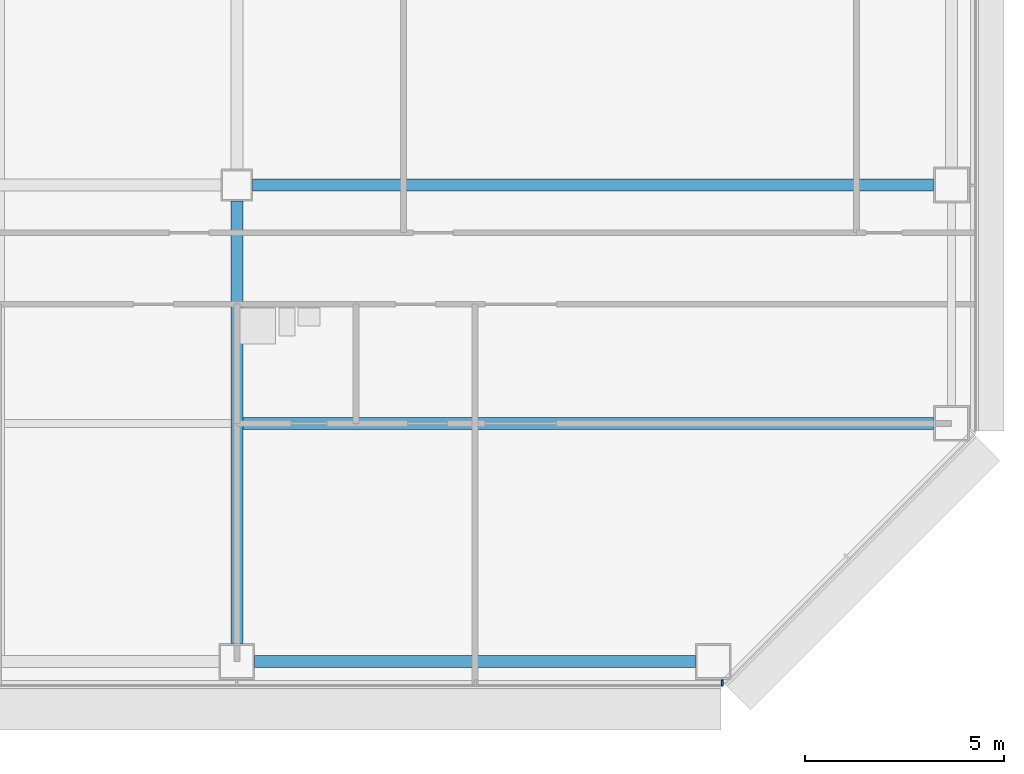
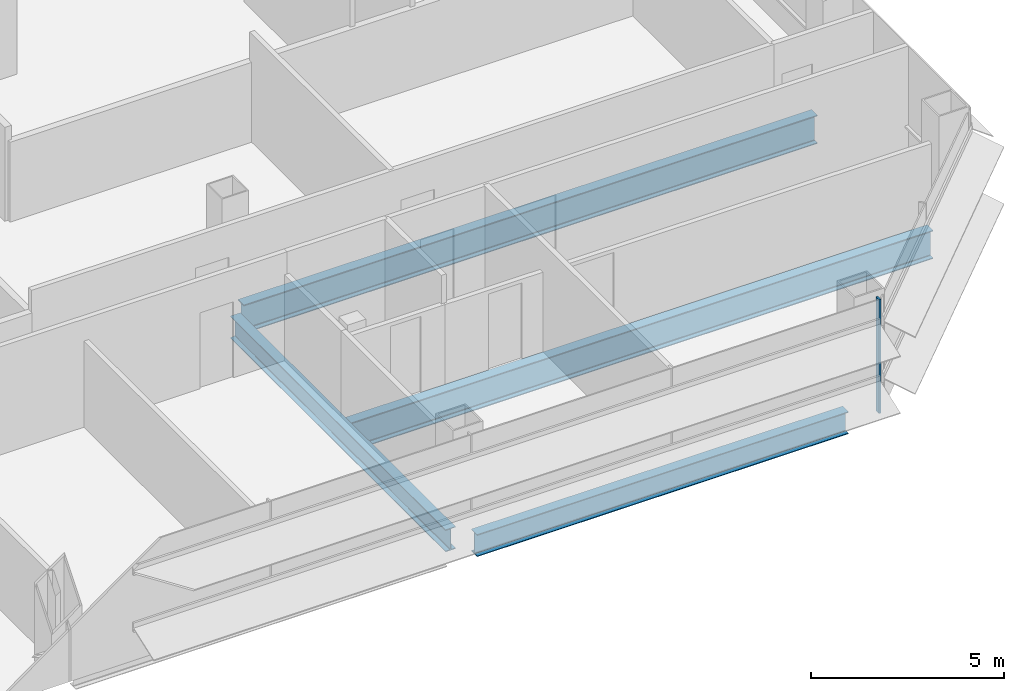
# One storey, part 9 of 27: 4 beams, 1 member, 1 element without a shape of its own.
"""IFC4 building model written with IfcOpenShell, lengths in metres."""

import ifcopenshell
import ifcopenshell.guid

model = None  # the IFC model being written
_history = None  # IfcOwnerHistory: only IFC2X3 demands one
_inside = {}  # id of a spatial element -> (the spatial element, [elements in it])
_under = {}  # id of a project, library or spatial element -> (it, [spatial elements below it])
_declared = {}  # id of a project -> (the project, [libraries it declares])
_typed = {}  # id of a type object -> (the type object, [elements of that type])
_made_of = {}  # id of a material, layer set ... -> (it, [elements and type objects made of it])


def new_model(schema):
    """Start an empty IFC model of exactly this schema.

    Asked for "IFC4X3", IfcOpenShell would pick the latest addendum, in which some entities
    have other attributes; the version numbers below select the first issue.
    IFC2X3 requires an IfcOwnerHistory on every rooted entity: one is made here for all.
    """
    global model, _history
    if schema == "IFC4X3":
        model = ifcopenshell.file(schema_version=(4, 3, 0, 0))
    else:
        model = ifcopenshell.file(schema=schema)
    _inside.clear()
    _under.clear()
    _declared.clear()
    _typed.clear()
    _made_of.clear()
    _history = None
    if model.schema == "IFC2X3":
        org = make("IfcOrganization", Name="unknown")
        user = make(
            "IfcPersonAndOrganization",
            ThePerson=make("IfcPerson", FamilyName="unknown"),
            TheOrganization=org,
        )
        app = make(
            "IfcApplication",
            ApplicationDeveloper=org,
            Version="unknown",
            ApplicationFullName="unknown",
            ApplicationIdentifier="unknown",
        )
        _history = make(
            "IfcOwnerHistory",
            OwningUser=user,
            OwningApplication=app,
            ChangeAction="ADDED",
            CreationDate=0,
        )
    return model


def make(cls, **values):
    """One entity of the class cls with the attributes given. An attribute that is None is left unset."""
    return model.create_entity(
        cls, **{name: value for name, value in values.items() if value is not None}
    )


def rooted(cls, **values):
    """An entity with a GlobalId (a new one), such as an element, a storey or a relation."""
    return make(cls, GlobalId=ifcopenshell.guid.new(), OwnerHistory=_history, **values)


def si_unit(unit_type, name, prefix=None):
    """IfcSIUnit, for example si_unit("LENGTHUNIT", "METRE", prefix="MILLI")."""
    return make("IfcSIUnit", UnitType=unit_type, Prefix=prefix, Name=name)


def assignment(units):
    """IfcUnitAssignment: the units of a project."""
    return None if units is None else make("IfcUnitAssignment", Units=units)


def point(xyz):
    """IfcCartesianPoint."""
    return None if xyz is None else make("IfcCartesianPoint", Coordinates=xyz)


def direction(xyz):
    """IfcDirection."""
    return None if xyz is None else make("IfcDirection", DirectionRatios=xyz)


def frame(location, z_axis=None, x_axis=None):
    """IfcAxis2Placement3D, a coordinate frame: its origin and axes. An axis left out is left unset."""
    return make(
        "IfcAxis2Placement3D",
        Location=point(location),
        Axis=direction(z_axis),
        RefDirection=direction(x_axis),
    )


def frame_2d(location, x_axis=None):
    """IfcAxis2Placement2D, a coordinate frame in the plane: its origin and x axis."""
    return make(
        "IfcAxis2Placement2D", Location=point(location), RefDirection=direction(x_axis)
    )


def origin():
    """The frame at (0, 0, 0) with its axes left unset."""
    return frame((0.0, 0.0, 0.0))


def origin_2d():
    """The frame at (0, 0) in the plane with its x axis left unset."""
    return frame_2d((0.0, 0.0))


def place(relative_to, where):
    """IfcLocalPlacement: puts the frame where relative to a parent placement (None: the world)."""
    return make(
        "IfcLocalPlacement", PlacementRelTo=relative_to, RelativePlacement=where
    )


def context(
    kind, dimensions, precision=None, world=None, true_north=None, identifier=None
):
    """IfcGeometricRepresentationContext, for example the 3D "Model" context."""
    return make(
        "IfcGeometricRepresentationContext",
        ContextIdentifier=identifier,
        ContextType=kind,
        CoordinateSpaceDimension=dimensions,
        Precision=precision,
        WorldCoordinateSystem=world,
        TrueNorth=true_north,
    )


def subcontext(parent, identifier, kind, view, scale=None):
    """IfcGeometricRepresentationSubContext, for example "Body" below "Model"."""
    return make(
        "IfcGeometricRepresentationSubContext",
        ContextIdentifier=identifier,
        ContextType=kind,
        ParentContext=parent,
        TargetScale=scale,
        TargetView=view,
    )


def project(units=None, contexts=None):
    """IfcProject with its units and contexts."""
    return rooted(
        "IfcProject",
        Name="project",
        RepresentationContexts=contexts,
        UnitsInContext=assignment(units),
    )


def spatial(cls, under=None, at=None, **own):
    """A site, building, storey or space (cls), placed at a placement, below another one or the project."""
    s = rooted(cls, ObjectPlacement=at, **own)
    if under is not None:
        _under.setdefault(under.id(), (under, []))[1].append(s)
    return s


def profile(cls, at=None, kind="AREA", **sizes):
    """A parametric profile (cls). Its sizes go by their IFC names, for example OverallWidth=200.0."""
    return make(cls, ProfileType=kind, Position=at, **sizes)


def rectangle(**sizes):
    """IfcRectangleProfileDef."""
    return profile("IfcRectangleProfileDef", **sizes)


def i_section(**sizes):
    """IfcIShapeProfileDef."""
    return profile("IfcIShapeProfileDef", **sizes)


def extrude(swept, where, along, depth):
    """IfcExtrudedAreaSolid: the profile swept, set in the frame where, extruded along a direction by depth."""
    return make(
        "IfcExtrudedAreaSolid",
        SweptArea=swept,
        Position=where,
        ExtrudedDirection=direction(along),
        Depth=depth,
    )


def shape(context_of_items, identifier, shape_type, items):
    """IfcShapeRepresentation: the items that make up one representation, for example the "Body"."""
    return make(
        "IfcShapeRepresentation",
        ContextOfItems=context_of_items,
        RepresentationIdentifier=identifier,
        RepresentationType=shape_type,
        Items=items,
    )


def material(Name=None, Category=None):
    """IfcMaterial."""
    return make("IfcMaterial", Name=Name, Category=Category)


def material_profile(
    of_material, cross_section, Name=None, Category=None, Priority=None
):
    """IfcMaterialProfile: a cross section and its material."""
    return make(
        "IfcMaterialProfile",
        Name=Name,
        Material=of_material,
        Profile=cross_section,
        Priority=Priority,
        Category=Category,
    )


def profile_set(profiles, Name=None, composite=None):
    """IfcMaterialProfileSet."""
    return make(
        "IfcMaterialProfileSet",
        Name=Name,
        MaterialProfiles=profiles,
        CompositeProfile=composite,
    )


def made_of(thing, what):
    """Note that an element or type object is made of a material, layer set ...; save() writes the relation."""
    if what is not None:
        _made_of.setdefault(what.id(), (what, []))[1].append(thing)
    return thing


def type_object(cls, material=None, **own):
    """A type object (cls), such as IfcWallType, which elements share."""
    return made_of(rooted(cls, **own), material)


def element(
    cls,
    number,
    at=None,
    inside=None,
    cuts=None,
    type_object=None,
    material=None,
    context=None,
    identifier="Body",
    shape_type=None,
    held_by="IfcProductDefinitionShape",
    body=None,
    shapes=None,
    **own,
):
    """One element of the class cls, such as IfcWall. Its Tag is "e" and its number.

    at: its placement. inside: the storey or other place that contains it. cuts: it is an
    opening in that element (IfcRelVoidsElement). A single representation is given by context,
    identifier, shape_type and body (its items); several are given by shapes. held_by: the class
    of the entity that holds the representations. save() writes the other relations.
    """
    e = rooted(cls, Tag="e%d" % number, ObjectPlacement=at, **own)
    if body is not None:
        shapes = [shape(context, identifier, shape_type, body)]
    if shapes is not None:
        e.Representation = make(held_by, Representations=shapes)
    if inside is not None:
        _inside.setdefault(inside.id(), (inside, []))[1].append(e)
    if cuts is not None:
        rooted(
            "IfcRelVoidsElement", RelatingBuildingElement=cuts, RelatedOpeningElement=e
        )
    if type_object is not None:
        _typed.setdefault(type_object.id(), (type_object, []))[1].append(e)
    return made_of(e, material)


def aggregate(whole, parts):
    """IfcRelAggregates: a whole, such as a stair, and the parts it consists of."""
    return rooted("IfcRelAggregates", RelatingObject=whole, RelatedObjects=parts)


def save(model, path):
    """Write the relations noted so far, then the file.

    IfcRelAggregates (storeys below a building ...), IfcRelContainedInSpatialStructure (elements
    in a storey), IfcRelDefinesByType, IfcRelAssociatesMaterial and IfcRelDeclares: one each for
    every whole, place, type object, material and project.
    """
    for whole, parts in _under.values():
        aggregate(whole, parts)
    for where, things in _inside.values():
        rooted(
            "IfcRelContainedInSpatialStructure",
            RelatedElements=things,
            RelatingStructure=where,
        )
    for kind, things in _typed.values():
        rooted("IfcRelDefinesByType", RelatedObjects=things, RelatingType=kind)
    for what, things in _made_of.values():
        rooted("IfcRelAssociatesMaterial", RelatedObjects=things, RelatingMaterial=what)
    for by, libraries in _declared.values():
        rooted("IfcRelDeclares", RelatingContext=by, RelatedDefinitions=libraries)
    model.write(path)


model = new_model("IFC4")

# Units and contexts
model_context = context("Model", 3, precision=1e-05, world=origin(), true_north=direction((0.0, 1.0)))
body_context = subcontext(model_context, "Body", "Model", "MODEL_VIEW")
ifc_project = project(units=[si_unit("LENGTHUNIT", "METRE"), si_unit("AREAUNIT", "SQUARE_METRE"), si_unit("VOLUMEUNIT", "CUBIC_METRE"), si_unit("PLANEANGLEUNIT", "RADIAN"), si_unit("MASSUNIT", "GRAM", prefix="KILO")], contexts=[model_context])

# Site, building, storey
site_placement = place(None, origin())
site = spatial("IfcSite", under=ifc_project, at=site_placement, CompositionType="ELEMENT")
building_placement = place(site_placement, origin())
building = spatial("IfcBuilding", under=site, at=building_placement, Name="Sorahane Residences", CompositionType="ELEMENT")
storey_placement = place(building_placement, frame((0.0, 0.0, 78.60009765625)))
storey = spatial("IfcBuildingStorey", under=building, at=storey_placement, Name="L16", CompositionType="ELEMENT", Elevation=78.60009765625)

# Curtain wall, member
ifc_material_1 = material(Name="Dark low-e glass and black anodised aluminium", Category="aluminium")
curtain_wall_type = type_object("IfcCurtainWallType", Name="Curtain wall CW-1 Typical unitised wall", PredefinedType="NOTDEFINED", material=ifc_material_1)
curtain_wall_placement = place(storey_placement, origin())
curtain_wall = element("IfcCurtainWall", 1, at=curtain_wall_placement, inside=storey, type_object=curtain_wall_type, Name="CW-1 curtain wall L16 S1", PredefinedType="NOTDEFINED")
ifc_material_2 = material(Name="Black anodised aluminium", Category="aluminium")
ifc_material_profile_1 = material_profile(ifc_material_2, rectangle(XDim=0.159912109375, YDim=0.050048828125, at=origin_2d()), Name="Curtain wall mullion CW-1 black anodised aluminium 50x160")
ifc_profile_set_1 = profile_set([ifc_material_profile_1], Name="Black anodised aluminium")
member_type = type_object("IfcMemberType", Name="Curtain wall mullion CW-1 black anodised aluminium 50x160", PredefinedType="MULLION", material=ifc_profile_set_1)
member_placement = place(storey_placement, frame((60.2236328125, -0.5400390625, -0.18017578125), z_axis=(0.0, 0.0, 1.0), x_axis=(0.0, -1.0, 0.0)))
member = element("IfcMember", 2, at=member_placement, type_object=member_type, Name="CW-1 mullion L16 S1.10", PredefinedType="MULLION", context=body_context, shape_type="SweptSolid", body=[
    extrude(rectangle(XDim=0.159912109375, YDim=0.050048828125, at=origin_2d()), origin(), (0.0, 0.0, 1.0), 3.60009765625),
])
aggregate(curtain_wall, [member])

# Beams
ifc_material_3 = material(Name="Steel Q355B", Category="steel")
ifc_material_profile_2 = material_profile(ifc_material_3, i_section(OverallWidth=0.300048828125, OverallDepth=0.699951171875, WebThickness=0.012939453125, FlangeThickness=0.02392578125, FilletRadius=0.028076171875, at=origin_2d()), Name="HN 700x300x13x24")
ifc_profile_set_2 = profile_set([ifc_material_profile_2], Name="Steel Q355B")
beam_type_1 = type_object("IfcBeamType", Name="Steel floor beam HN 700x300x13x24 Q355B", PredefinedType="BEAM", material=ifc_profile_set_2)
beam_1_placement = place(storey_placement, frame((48.449951171875, 0.0, -0.530029296875), z_axis=(1.0, 0.0, 0.0), x_axis=(0.0, 1.0, 0.0)))
element("IfcBeam", 3, at=beam_1_placement, inside=storey, type_object=beam_type_1, Name="Beam L16 004", PredefinedType="BEAM", context=body_context, shape_type="SweptSolid", body=[
    extrude(i_section(OverallWidth=0.300048828125, OverallDepth=0.699951171875, WebThickness=0.012939453125, FlangeThickness=0.02392578125, FilletRadius=0.028076171875, at=origin_2d()), origin(), (0.0, 0.0, 1.0), 11.10009765625),
])
beam_2_placement = place(storey_placement, frame((48.0, 0.449951171875, -0.530029296875), z_axis=(0.0, 1.0, 0.0), x_axis=(-1.0, 0.0, 0.0)))
element("IfcBeam", 4, at=beam_2_placement, inside=storey, type_object=beam_type_1, Name="Beam L16 051", PredefinedType="BEAM", context=body_context, shape_type="SweptSolid", body=[
    extrude(i_section(OverallWidth=0.300048828125, OverallDepth=0.699951171875, WebThickness=0.012939453125, FlangeThickness=0.02392578125, FilletRadius=0.028076171875, at=origin_2d()), origin(), (0.0, 0.0, 1.0), 11.150146484375),
])
ifc_material_4 = material(Name="Steel Q355B", Category="steel")
ifc_material_profile_3 = material_profile(ifc_material_4, i_section(OverallWidth=0.300048828125, OverallDepth=0.89990234375, WebThickness=0.01611328125, FlangeThickness=0.028076171875, FilletRadius=0.028076171875, at=origin_2d()), Name="HN 900x300x16x28")
ifc_profile_set_3 = profile_set([ifc_material_profile_3], Name="Steel Q355B")
beam_type_2 = type_object("IfcBeamType", Name="Steel floor beam HN 900x300x16x28 Q355B", PredefinedType="BEAM", material=ifc_profile_set_3)
beam_3_placement = place(storey_placement, frame((48.39990234375, 12.0, -0.630126953125), z_axis=(1.0, 0.0, 0.0), x_axis=(0.0, 1.0, 0.0)))
element("IfcBeam", 5, at=beam_3_placement, inside=storey, type_object=beam_type_2, Name="Beam L16 009", PredefinedType="BEAM", context=body_context, shape_type="SweptSolid", body=[
    extrude(i_section(OverallWidth=0.300048828125, OverallDepth=0.89990234375, WebThickness=0.01611328125, FlangeThickness=0.028076171875, FilletRadius=0.028076171875, at=origin_2d()), origin(), (0.0, 0.0, 1.0), 17.150146484375),
])
beam_4_placement = place(storey_placement, frame((48.14990234375, 6.0, -0.630126953125), z_axis=(1.0, 0.0, 0.0), x_axis=(0.0, 1.0, 0.0)))
element("IfcBeam", 6, at=beam_4_placement, inside=storey, type_object=beam_type_2, Name="Beam L16 069", PredefinedType="BEAM", context=body_context, shape_type="SweptSolid", body=[
    extrude(i_section(OverallWidth=0.300048828125, OverallDepth=0.89990234375, WebThickness=0.01611328125, FlangeThickness=0.028076171875, FilletRadius=0.028076171875, at=origin_2d()), origin(), (0.0, 0.0, 1.0), 17.400146484375),
])

save(model, "model.ifc")
